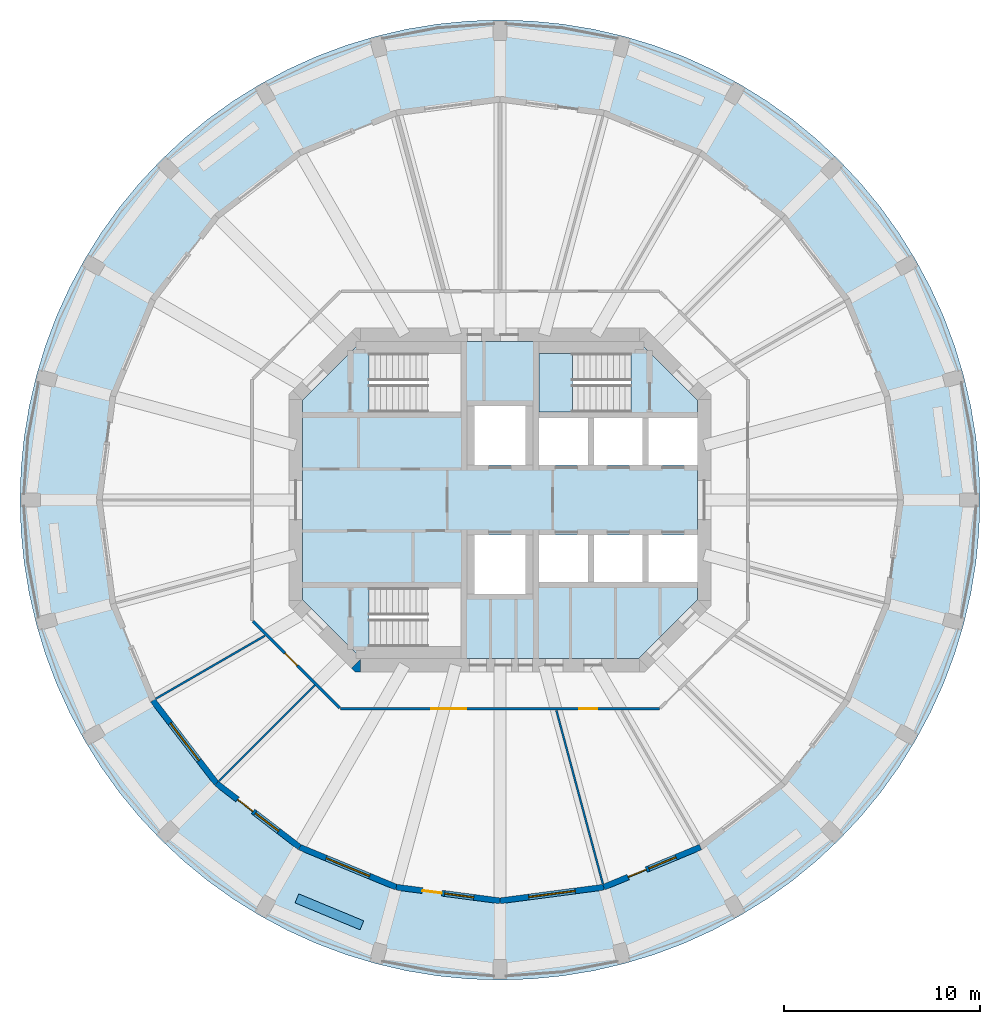
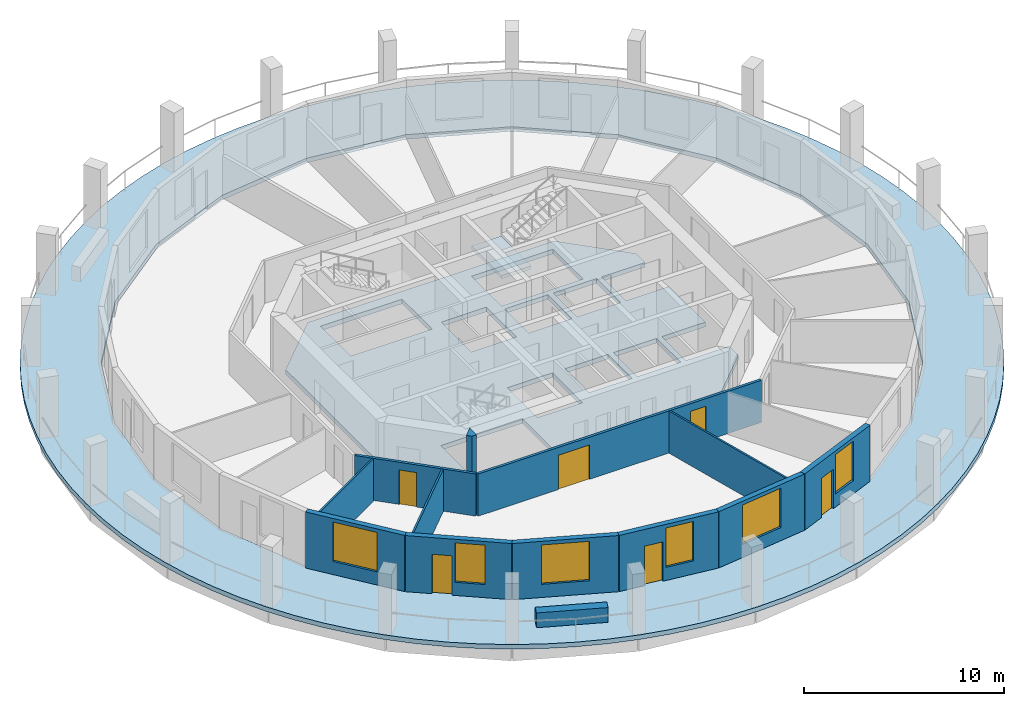
# One storey, part 2 of 9: 13 walls, 6 doors, 6 windows, 3 slabs, 12 openings, 1 element without a shape of its own.
"""IFC4 building model written with IfcOpenShell, lengths in metres."""

from ifc_helpers import new_model, si_unit, direction, frame, frame_2d, origin, place, context, subcontext, project, spatial, polyline, rectangle, outline, extrude, material, layer, layer_set, type_object, element, fill, aggregate, save


model = new_model("IFC4")

# Units and contexts
model_context = context("Model", 3, precision=1e-05, world=origin(), true_north=direction((0.0, 1.0)))
body_context = subcontext(model_context, "Body", "Model", "MODEL_VIEW")
ifc_project = project(units=[si_unit("LENGTHUNIT", "METRE"), si_unit("AREAUNIT", "SQUARE_METRE"), si_unit("VOLUMEUNIT", "CUBIC_METRE"), si_unit("PLANEANGLEUNIT", "RADIAN"), si_unit("MASSUNIT", "GRAM", prefix="KILO")], contexts=[model_context])

# Site, building, storey
site_placement = place(None, origin())
site = spatial("IfcSite", under=ifc_project, at=site_placement, CompositionType="ELEMENT")
building_placement = place(site_placement, origin())
building = spatial("IfcBuilding", under=site, at=building_placement, Name="Torre Triforio", CompositionType="ELEMENT")
storey_placement = place(building_placement, frame((0.0, 0.0, 233.5)))
storey = spatial("IfcBuildingStorey", under=building, at=storey_placement, Name="L53", CompositionType="ELEMENT", Elevation=233.5)

# Slabs
ifc_material_1 = material(Name="Concrete C50", Category="concrete")
ifc_layer_1 = layer(ifc_material_1, 0.280029296875)
ifc_layer_set_1 = layer_set([ifc_layer_1], Name="Concrete C50")
slab_type_1 = type_object("IfcSlabType", Name="Core floor slab 280 mm C50 REI 120", PredefinedType="FLOOR", material=ifc_layer_set_1)
slab_1_placement = place(storey_placement, frame((0.0, 0.0, -0.280029296875)))
element("IfcSlab", 1, at=slab_1_placement, inside=storey, type_object=slab_type_1, Name="Core floor slab", PredefinedType="FLOOR", context=body_context, shape_type="SweptSolid", body=[
    extrude(outline(polyline([(10.10009765625, -5.10009765625), (7.10009765625, -8.10009765625), (-7.10009765625, -8.10009765625), (-10.10009765625, -5.10009765625), (-10.10009765625, 5.10009765625), (-7.10009765625, 8.10009765625), (7.10009765625, 8.10009765625), (10.10009765625, 5.10009765625), (10.10009765625, 4.199951171875), (7.60009765625, 4.199951171875), (7.60009765625, 1.800048828125), (10.10009765625, 1.800048828125), (10.10009765625, -1.800048828125), (7.60009765625, -1.800048828125), (7.60009765625, -4.199951171875), (10.10009765625, -4.199951171875), (10.10009765625, -5.10009765625)]), holes=[polyline([(-6.696044921875, -4.5), (-6.696044921875, -7.5), (-2.0, -7.5), (-2.0, -4.5), (-6.696044921875, -4.5)]), polyline([(-1.300048828125, -1.800048828125), (-1.300048828125, -4.800048828125), (1.300048828125, -4.800048828125), (1.300048828125, -1.800048828125), (-1.300048828125, -1.800048828125)]), polyline([(2.0, -1.800048828125), (2.0, -4.199951171875), (4.5, -4.199951171875), (4.5, -1.800048828125), (2.0, -1.800048828125)]), polyline([(4.5, 4.199951171875), (2.0, 4.199951171875), (2.0, 1.800048828125), (4.5, 1.800048828125), (4.5, 4.199951171875)]), polyline([(1.300048828125, 4.800048828125), (-1.300048828125, 4.800048828125), (-1.300048828125, 1.800048828125), (1.300048828125, 1.800048828125), (1.300048828125, 4.800048828125)]), polyline([(-6.696044921875, 7.5), (-6.696044921875, 4.5), (-2.0, 4.5), (-2.0, 7.5), (-6.696044921875, 7.5)]), polyline([(7.300048828125, -1.800048828125), (4.800048828125, -1.800048828125), (4.800048828125, -4.199951171875), (7.300048828125, -4.199951171875), (7.300048828125, -1.800048828125)]), polyline([(4.800048828125, 4.199951171875), (4.800048828125, 1.800048828125), (7.300048828125, 1.800048828125), (7.300048828125, 4.199951171875), (4.800048828125, 4.199951171875)]), polyline([(6.696044921875, 7.5), (2.0, 7.5), (2.0, 4.5), (6.696044921875, 4.5), (6.696044921875, 7.5)])]), origin(), (0.0, 0.0, 1.0), 0.280029296875),
])
ifc_material_2 = material(Name="Concrete C40", Category="concrete")
ifc_layer_2 = layer(ifc_material_2, 0.280029296875)
ifc_layer_set_2 = layer_set([ifc_layer_2], Name="Concrete C40")
slab_type_2 = type_object("IfcSlabType", Name="Loggia slab 280 C40", PredefinedType="FLOOR", material=ifc_layer_set_2)
slab_2_placement = place(storey_placement, frame((0.0, 0.0, -0.280029296875)))
element("IfcSlab", 2, at=slab_2_placement, inside=storey, type_object=slab_type_2, Name="SL.L53.LG", PredefinedType="FLOOR", context=body_context, shape_type="SweptSolid", body=[
    extrude(outline(polyline([(24.49755859375, -1.605712890625), (24.550048828125, 0.0), (24.49755859375, 1.605712890625), (24.340087890625, 3.204345703125), (24.078369140625, 4.78955078125), (23.71337890625, 6.35400390625), (23.2470703125, 7.891357421875), (22.68115234375, 9.394775390625), (22.018310546875, 10.858154296875), (21.260986328125, 12.27490234375), (20.41259765625, 13.63916015625), (19.476806640625, 14.945068359375), (18.457763671875, 16.18701171875), (17.359375, 17.359375), (16.18701171875, 18.457763671875), (14.945068359375, 19.476806640625), (13.63916015625, 20.41259765625), (12.27490234375, 21.260986328125), (10.858154296875, 22.018310546875), (9.394775390625, 22.68115234375), (7.891357421875, 23.2470703125), (6.35400390625, 23.71337890625), (4.78955078125, 24.078369140625), (3.204345703125, 24.340087890625), (1.605712890625, 24.49755859375), (0.0, 24.550048828125), (-1.605712890625, 24.49755859375), (-3.204345703125, 24.340087890625), (-4.78955078125, 24.078369140625), (-6.35400390625, 23.71337890625), (-7.891357421875, 23.2470703125), (-9.394775390625, 22.68115234375), (-10.858154296875, 22.018310546875), (-12.27490234375, 21.260986328125), (-13.63916015625, 20.41259765625), (-14.945068359375, 19.476806640625), (-16.18701171875, 18.457763671875), (-17.359375, 17.359375), (-18.457763671875, 16.18701171875), (-19.476806640625, 14.945068359375), (-20.41259765625, 13.63916015625), (-21.260986328125, 12.27490234375), (-22.018310546875, 10.858154296875), (-22.68115234375, 9.394775390625), (-23.2470703125, 7.891357421875), (-23.71337890625, 6.35400390625), (-24.078369140625, 4.78955078125), (-24.340087890625, 3.204345703125), (-24.49755859375, 1.605712890625), (-24.550048828125, 0.0), (-24.49755859375, -1.605712890625), (-24.340087890625, -3.204345703125), (-24.078369140625, -4.78955078125), (-23.71337890625, -6.35400390625), (-23.2470703125, -7.891357421875), (-22.68115234375, -9.394775390625), (-22.018310546875, -10.858154296875), (-21.260986328125, -12.27490234375), (-20.41259765625, -13.63916015625), (-19.476806640625, -14.945068359375), (-18.457763671875, -16.18701171875), (-17.359375, -17.359375), (-16.18701171875, -18.457763671875), (-14.945068359375, -19.476806640625), (-13.63916015625, -20.41259765625), (-12.27490234375, -21.260986328125), (-10.858154296875, -22.018310546875), (-9.394775390625, -22.68115234375), (-7.891357421875, -23.2470703125), (-6.35400390625, -23.71337890625), (-4.78955078125, -24.078369140625), (-3.204345703125, -24.340087890625), (-1.605712890625, -24.49755859375), (0.0, -24.550048828125), (1.605712890625, -24.49755859375), (3.204345703125, -24.340087890625), (4.78955078125, -24.078369140625), (6.35400390625, -23.71337890625), (7.891357421875, -23.2470703125), (9.394775390625, -22.68115234375), (10.858154296875, -22.018310546875), (12.27490234375, -21.260986328125), (13.63916015625, -20.41259765625), (14.945068359375, -19.476806640625), (16.18701171875, -18.457763671875), (17.359375, -17.359375), (18.457763671875, -16.18701171875), (19.476806640625, -14.945068359375), (20.41259765625, -13.63916015625), (21.260986328125, -12.27490234375), (22.018310546875, -10.858154296875), (22.68115234375, -9.394775390625), (23.2470703125, -7.891357421875), (23.71337890625, -6.35400390625), (24.078369140625, -4.78955078125), (24.340087890625, -3.204345703125), (24.49755859375, -1.605712890625)]), holes=[polyline([(19.801513671875, 5.305908203125), (20.5, 0.0), (19.801513671875, -5.305908203125), (17.75341796875, -10.25), (14.49560546875, -14.49560546875), (10.25, -17.75341796875), (5.305908203125, -19.801513671875), (0.0, -20.5), (-5.305908203125, -19.801513671875), (-10.25, -17.75341796875), (-14.49560546875, -14.49560546875), (-17.75341796875, -10.25), (-19.801513671875, -5.305908203125), (-20.5, 0.0), (-19.801513671875, 5.305908203125), (-17.75341796875, 10.25), (-14.49560546875, 14.49560546875), (-10.25, 17.75341796875), (-5.305908203125, 19.801513671875), (0.0, 20.5), (5.305908203125, 19.801513671875), (10.25, 17.75341796875), (14.49560546875, 14.49560546875), (17.75341796875, 10.25), (19.801513671875, 5.305908203125)])]), origin(), (0.0, 0.0, 1.0), 0.280029296875),
])

# Stair, slab
stair_type = type_object("IfcStairType", Name="STAIR HALF-TURN", PredefinedType="HALF_TURN_STAIR", material=ifc_material_2)
stair_placement = place(storey_placement, origin())
stair = element("IfcStair", 3, at=stair_placement, inside=storey, type_object=stair_type, Name="Exit stair 2", PredefinedType="HALF_TURN_STAIR")
ifc_layer_3 = layer(ifc_material_2, 0.199951171875)
ifc_layer_set_3 = layer_set([ifc_layer_3], Name="Concrete C40")
slab_type_3 = type_object("IfcSlabType", Name="STAIR LANDING 200", PredefinedType="LANDING", material=ifc_layer_set_3)
slab_3_placement = place(storey_placement, frame((0.0, 0.0, 1.64990234375)))
slab_3 = element("IfcSlab", 4, at=slab_3_placement, type_object=slab_type_3, Name="ST2 landing 1", PredefinedType="LANDING", context=body_context, shape_type="SweptSolid", body=[
    extrude(outline(polyline([(3.699951171875, 4.5), (3.699951171875, 7.5), (2.0, 7.5), (2.0, 4.5), (3.699951171875, 4.5)])), origin(), (0.0, 0.0, 1.0), 0.2001953125),
])
aggregate(stair, [slab_3])

# Wall
ifc_layer_4 = layer(ifc_material_1, 0.699951171875)
ifc_layer_set_4 = layer_set([ifc_layer_4], Name="Concrete C50")
wall_type_1 = type_object("IfcWallType", Name="Core wall 700 mm C50 EI 120", PredefinedType="SHEAR", material=ifc_layer_set_4)
wall_1_placement = place(storey_placement, frame((0.0, 0.0, -0.280029296875)))
element("IfcWall", 5, at=wall_1_placement, inside=storey, type_object=wall_type_1, Name="Core wall", PredefinedType="SHEAR", context=body_context, shape_type="SweptSolid", body=[
    extrude(outline(polyline([(-7.389892578125, -8.800048828125), (-7.594970703125, -8.594970703125), (-7.594970703125, -8.594970703125), (-7.594970703125, -8.594970703125), (-7.1298828125, -8.1298828125), (-7.1298828125, -8.800048828125), (-7.1298828125, -8.800048828125), (-7.389892578125, -8.800048828125)])), origin(), (0.0, 0.0, 1.0), 3.699951171875),
])

# Wall, openings, doors
ifc_material_3 = material(Name="Plasterboard on metal studs")
ifc_layer_5 = layer(ifc_material_3, 0.14990234375)
ifc_layer_set_5 = layer_set([ifc_layer_5], Name="Plasterboard on metal studs")
wall_type_2 = type_object("IfcWallType", Name="Corridor and tenancy wall 150 mm EI 60", PredefinedType="PARTITIONING", material=ifc_layer_set_5)
wall_2_placement = place(storey_placement, frame((8.16650390625, -10.675048828125, 0.0), z_axis=(0.0, 0.0, 1.0), x_axis=(-1.0, 0.0, 0.0)))
wall_2 = element("IfcWall", 6, at=wall_2_placement, inside=storey, type_object=wall_type_2, Name="Partition 2", PredefinedType="PARTITIONING", context=body_context, shape_type="SweptSolid", body=[
    extrude(rectangle(XDim=16.3330078125, YDim=0.14990234375, at=frame_2d((8.16650390625, 0.0))), origin(), (0.0, 0.0, 1.0), 2.570068359375),
])
opening_1_placement = place(wall_2_placement, frame((9.893798828125, 0.0, 0.0)))
opening_1 = element("IfcOpeningElement", 7, at=opening_1_placement, cuts=wall_2, Name="Opening O7-05", PredefinedType="OPENING", context=body_context, shape_type="SweptSolid", body=[
    extrude(rectangle(XDim=1.800048828125, YDim=2.10009765625, at=frame_2d((0.89990234375, 1.050048828125))), frame((0.0, 0.0849609375, 0.0), z_axis=(0.0, -1.0, 0.0), x_axis=(1.0, 0.0, 0.0)), (0.0, 0.0, 1.0), 0.169921875),
])
opening_2_placement = place(wall_2_placement, frame((3.200927734375, 0.0, 0.0)))
opening_2 = element("IfcOpeningElement", 8, at=opening_2_placement, cuts=wall_2, Name="Opening O7-06", PredefinedType="OPENING", context=body_context, shape_type="SweptSolid", body=[
    extrude(rectangle(XDim=0.89990234375, YDim=2.10009765625, at=frame_2d((0.449951171875, 1.050048828125))), frame((0.0, 0.0849609375, 0.0), z_axis=(0.0, -1.0, 0.0), x_axis=(1.0, 0.0, 0.0)), (0.0, 0.0, 1.0), 0.169921875),
])
ifc_material_4 = material(Name="Timber", Category="wood")
door_type_1 = type_object("IfcDoorType", Name="Door 1800 x 2100 double leaf EI 30", OperationType="DOUBLE_DOOR_SINGLE_SWING", PredefinedType="DOOR", material=ifc_material_4)
door_1_placement = place(opening_1_placement, origin())
door_1 = element("IfcDoor", 9, at=door_1_placement, inside=storey, type_object=door_type_1, Name="Door O7-05", OperationType="DOUBLE_DOOR_SINGLE_SWING", OverallHeight=2.10009765625, OverallWidth=1.800048828125, PredefinedType="DOOR", context=body_context, shape_type="SweptSolid", body=[
    extrude(rectangle(XDim=1.800048828125, YDim=2.10009765625, at=frame_2d((0.89990234375, 1.050048828125))), frame((0.0, 0.02490234375, 0.0), z_axis=(0.0, -1.0, 0.0), x_axis=(1.0, 0.0, 0.0)), (0.0, 0.0, 1.0), 0.050048828125),
])
fill(opening_1, door_1)
door_type_2 = type_object("IfcDoorType", Name="Door 900 x 2100 single leaf EI 30", OperationType="NOTDEFINED", PredefinedType="DOOR", material=ifc_material_4)
door_2_placement = place(opening_2_placement, origin())
door_2 = element("IfcDoor", 10, at=door_2_placement, inside=storey, type_object=door_type_2, Name="Door O7-06", OperationType="SINGLE_SWING_LEFT", OverallHeight=2.10009765625, OverallWidth=0.89990234375, PredefinedType="DOOR", context=body_context, shape_type="SweptSolid", body=[
    extrude(rectangle(XDim=0.89990234375, YDim=2.10009765625, at=frame_2d((0.449951171875, 1.050048828125))), frame((0.0, 0.02490234375, 0.0), z_axis=(0.0, -1.0, 0.0), x_axis=(1.0, 0.0, 0.0)), (0.0, 0.0, 1.0), 0.050048828125),
])
fill(opening_2, door_2)

# Wall, opening, door
wall_3_placement = place(storey_placement, frame((-8.20361328125, -10.637939453125, 0.0), z_axis=(0.0, 0.0, 1.0), x_axis=(-0.707106781187, 0.707106781187, 0.0)))
wall_3 = element("IfcWall", 11, at=wall_3_placement, inside=storey, type_object=wall_type_2, Name="Partition 3", PredefinedType="PARTITIONING", context=body_context, shape_type="SweptSolid", body=[
    extrude(rectangle(XDim=6.27099609375, YDim=0.14990234375, at=frame_2d((3.135498046875, 0.0))), origin(), (0.0, 0.0, 1.0), 2.570068359375),
])
opening_3_placement = place(wall_3_placement, frame((3.056884765625, 0.0, 0.0)))
opening_3 = element("IfcOpeningElement", 12, at=opening_3_placement, cuts=wall_3, Name="Opening O7-04", PredefinedType="OPENING", context=body_context, shape_type="SweptSolid", body=[
    extrude(rectangle(XDim=0.89990234375, YDim=2.10009765625, at=frame_2d((0.449951171875, 1.050048828125))), frame((0.0, 0.0849609375, 0.0), z_axis=(0.0, -1.0, 0.0), x_axis=(1.0, 0.0, 0.0)), (0.0, 0.0, 1.0), 0.169921875),
])
door_3_placement = place(opening_3_placement, origin())
door_3 = element("IfcDoor", 13, at=door_3_placement, inside=storey, type_object=door_type_2, Name="Door O7-04", OperationType="SINGLE_SWING_LEFT", OverallHeight=2.10009765625, OverallWidth=0.89990234375, PredefinedType="DOOR", context=body_context, shape_type="SweptSolid", body=[
    extrude(rectangle(XDim=0.89990234375, YDim=2.10009765625, at=frame_2d((0.449951171875, 1.050048828125))), frame((0.0, 0.02490234375, 0.0), z_axis=(0.0, -1.0, 0.0), x_axis=(1.0, 0.0, 0.0)), (0.0, 0.0, 1.0), 0.050048828125),
])
fill(opening_3, door_3)

# Walls
ifc_layer_6 = layer(ifc_material_3, 0.10009765625)
ifc_layer_set_6 = layer_set([ifc_layer_6], Name="Plasterboard on metal studs")
wall_type_3 = type_object("IfcWallType", Name="Partition 100 mm board on metal studs", PredefinedType="PARTITIONING", material=ifc_layer_set_6)
wall_4_placement = place(storey_placement, frame((-12.025146484375, -6.94287109375, 0.0), z_axis=(0.0, 0.0, 1.0), x_axis=(-0.866026773083, -0.499997628298, 0.0)))
element("IfcWall", 14, at=wall_4_placement, inside=storey, type_object=wall_type_3, Name="Partition 20", PredefinedType="PARTITIONING", context=body_context, shape_type="SweptSolid", body=[
    extrude(rectangle(XDim=6.451171875, YDim=0.10009765625, at=frame_2d((3.2255859375, 0.0))), origin(), (0.0, 0.0, 1.0), 2.570068359375),
])
wall_5_placement = place(storey_placement, frame((-9.473876953125, -9.473876953125, 0.0), z_axis=(0.0, 0.0, 1.0), x_axis=(-0.707106781187, -0.707106781187, 0.0)))
element("IfcWall", 15, at=wall_5_placement, inside=storey, type_object=wall_type_3, Name="Partition 21", PredefinedType="PARTITIONING", context=body_context, shape_type="SweptSolid", body=[
    extrude(rectangle(XDim=6.9384765625, YDim=0.10009765625, at=frame_2d((3.46923828125, 0.0))), origin(), (0.0, 0.0, 1.0), 2.570068359375),
])
wall_6_placement = place(storey_placement, frame((2.88427734375, -10.764404296875, 0.0), z_axis=(0.0, 0.0, 1.0), x_axis=(0.258811310764, -0.965927898666, 0.0)))
element("IfcWall", 16, at=wall_6_placement, inside=storey, type_object=wall_type_3, Name="Partition 22", PredefinedType="PARTITIONING", context=body_context, shape_type="SweptSolid", body=[
    extrude(rectangle(XDim=9.192626953125, YDim=0.10009765625, at=frame_2d((4.59619140625, 0.0))), origin(), (0.0, 0.0, 1.0), 2.570068359375),
])
ifc_material_5 = material(Name="Limestone cladding", Category="masonry")
ifc_layer_7 = layer(ifc_material_5, 0.10009765625)
ifc_layer_8 = layer(ifc_material_2, 0.39990234375)
ifc_layer_set_7 = layer_set([ifc_layer_7, ifc_layer_8], Name="Limestone cladding / Concrete C40")
wall_type_4 = type_object("IfcWallType", Name="Planter wall 500", PredefinedType="PARAPET", material=ifc_layer_set_7)
wall_7_placement = place(storey_placement, frame((-10.38818359375, -20.37548828125, 0.0), z_axis=(0.0, 0.0, 1.0), x_axis=(0.923851510231, -0.38275107713, 0.0)))
element("IfcWall", 17, at=wall_7_placement, inside=storey, type_object=wall_type_4, Name="Planter L53 bay 17", PredefinedType="PARAPET", context=body_context, shape_type="SweptSolid", body=[
    extrude(rectangle(XDim=3.60009765625, YDim=0.5, at=frame_2d((1.800048828125, 0.0))), origin(), (0.0, 0.0, 1.0), 0.89990234375),
])

# Wall, opening, window
ifc_layer_9 = layer(ifc_material_5, 0.10009765625)
ifc_layer_10 = layer(ifc_material_2, 0.199951171875)
ifc_layer_set_8 = layer_set([ifc_layer_9, ifc_layer_10], Name="Limestone cladding / Concrete C40")
wall_type_5 = type_object("IfcWallType", Name="Stone-faced composite wall 300", PredefinedType="STANDARD", material=ifc_layer_set_8)
wall_8_placement = place(storey_placement, frame((-17.75341796875, -10.25, 0.0), z_axis=(0.0, 0.0, 1.0), x_axis=(0.60876670321, -0.793349293227, 0.0)))
wall_8 = element("IfcWall", 18, at=wall_8_placement, inside=storey, type_object=wall_type_5, Name="External wall L53 bay 15", PredefinedType="STANDARD", context=body_context, shape_type="SweptSolid", body=[
    extrude(rectangle(XDim=5.3515625, YDim=0.300048828125, at=frame_2d((2.67578125, 0.0))), origin(), (0.0, 0.0, 1.0), 3.419921875),
])
opening_4_placement = place(wall_8_placement, frame((1.475830078125, 0.0, 0.800048828125)))
opening_4 = element("IfcOpeningElement", 19, at=opening_4_placement, cuts=wall_8, Name="Opening O7-W15", PredefinedType="OPENING", context=body_context, shape_type="SweptSolid", body=[
    extrude(rectangle(XDim=2.39990234375, YDim=2.39990234375, at=frame_2d((1.199951171875, 1.199951171875))), frame((0.0, 0.159912109375, 0.0), z_axis=(0.0, -1.0, 0.0), x_axis=(1.0, 0.0, 0.0)), (0.0, 0.0, 1.0), 0.320068359375),
])
ifc_material_6 = material(Name="Aluminium frame with clear double glazing", Category="aluminium")
window_type_1 = type_object("IfcWindowType", Name="Punched window 2400 x 2400", PartitioningType="DOUBLE_PANEL_VERTICAL", PredefinedType="WINDOW", material=ifc_material_6)
window_1_placement = place(opening_4_placement, origin())
window_1 = element("IfcWindow", 20, at=window_1_placement, inside=storey, type_object=window_type_1, Name="Window EWN4 L53 bay 15", OverallHeight=2.39990234375, OverallWidth=2.39990234375, PartitioningType="SINGLE_PANEL", PredefinedType="WINDOW", context=body_context, shape_type="SweptSolid", body=[
    extrude(rectangle(XDim=2.39990234375, YDim=2.39990234375, at=frame_2d((1.199951171875, 1.199951171875))), frame((0.0, 0.030029296875, 0.0), z_axis=(0.0, -1.0, 0.0), x_axis=(1.0, 0.0, 0.0)), (0.0, 0.0, 1.0), 0.06005859375),
])
fill(opening_4, window_1)

# Wall, openings, door, window
wall_9_placement = place(storey_placement, frame((-14.49560546875, -14.49560546875, 0.0), z_axis=(0.0, 0.0, 1.0), x_axis=(0.793349293227, -0.60876670321, 0.0)))
wall_9 = element("IfcWall", 21, at=wall_9_placement, inside=storey, type_object=wall_type_5, Name="External wall L53 bay 16", PredefinedType="STANDARD", context=body_context, shape_type="SweptSolid", body=[
    extrude(rectangle(XDim=5.3515625, YDim=0.300048828125, at=frame_2d((2.67578125, 0.0))), origin(), (0.0, 0.0, 1.0), 3.419921875),
])
opening_5_placement = place(wall_9_placement, frame((1.350830078125, 0.0, 0.0)))
opening_5 = element("IfcOpeningElement", 22, at=opening_5_placement, cuts=wall_9, Name="Opening O7-D16", PredefinedType="OPENING", context=body_context, shape_type="SweptSolid", body=[
    extrude(rectangle(XDim=1.0, YDim=2.39990234375, at=frame_2d((0.5, 1.199951171875))), frame((0.0, 0.159912109375, 0.0), z_axis=(0.0, -1.0, 0.0), x_axis=(1.0, 0.0, 0.0)), (0.0, 0.0, 1.0), 0.320068359375),
])
opening_6_placement = place(wall_9_placement, frame((2.500732421875, 0.0, 0.800048828125)))
opening_6 = element("IfcOpeningElement", 23, at=opening_6_placement, cuts=wall_9, Name="Opening O7-W16A", PredefinedType="OPENING", context=body_context, shape_type="SweptSolid", body=[
    extrude(rectangle(XDim=1.5, YDim=2.39990234375, at=frame_2d((0.75, 1.199951171875))), frame((0.0, 0.159912109375, 0.0), z_axis=(0.0, -1.0, 0.0), x_axis=(1.0, 0.0, 0.0)), (0.0, 0.0, 1.0), 0.320068359375),
])
door_type_3 = type_object("IfcDoorType", Name="Loggia door 1000 x 2400", OperationType="NOTDEFINED", PredefinedType="DOOR", material=ifc_material_6)
door_4_placement = place(opening_5_placement, origin())
door_4 = element("IfcDoor", 24, at=door_4_placement, inside=storey, type_object=door_type_3, Name="Loggia door L53 bay 16", OperationType="SINGLE_SWING_LEFT", OverallHeight=2.39990234375, OverallWidth=1.0, PredefinedType="DOOR", context=body_context, shape_type="SweptSolid", body=[
    extrude(rectangle(XDim=1.0, YDim=2.39990234375, at=frame_2d((0.5, 1.199951171875))), frame((0.0, 0.02490234375, 0.0), z_axis=(0.0, -1.0, 0.0), x_axis=(1.0, 0.0, 0.0)), (0.0, 0.0, 1.0), 0.050048828125),
])
fill(opening_5, door_4)
window_type_2 = type_object("IfcWindowType", Name="Side window 1500 x 2400", PartitioningType="SINGLE_PANEL", PredefinedType="WINDOW", material=ifc_material_6)
window_2_placement = place(opening_6_placement, origin())
window_2 = element("IfcWindow", 25, at=window_2_placement, inside=storey, type_object=window_type_2, Name="Side window EWN14 L53 bay 16", OverallHeight=2.39990234375, OverallWidth=1.5, PartitioningType="SINGLE_PANEL", PredefinedType="WINDOW", context=body_context, shape_type="SweptSolid", body=[
    extrude(rectangle(XDim=1.5, YDim=2.39990234375, at=frame_2d((0.75, 1.199951171875))), frame((0.0, 0.030029296875, 0.0), z_axis=(0.0, -1.0, 0.0), x_axis=(1.0, 0.0, 0.0)), (0.0, 0.0, 1.0), 0.06005859375),
])
fill(opening_6, window_2)

# Wall, opening, window
wall_10_placement = place(storey_placement, frame((-10.25, -17.75341796875, 0.0), z_axis=(0.0, 0.0, 1.0), x_axis=(0.923867255172, -0.382713071139, 0.0)))
wall_10 = element("IfcWall", 26, at=wall_10_placement, inside=storey, type_object=wall_type_5, Name="External wall L53 bay 17", PredefinedType="STANDARD", context=body_context, shape_type="SweptSolid", body=[
    extrude(rectangle(XDim=5.3515625, YDim=0.300048828125, at=frame_2d((2.67578125, 0.0))), origin(), (0.0, 0.0, 1.0), 3.419921875),
])
opening_7_placement = place(wall_10_placement, frame((1.475830078125, 0.0, 0.800048828125)))
opening_7 = element("IfcOpeningElement", 27, at=opening_7_placement, cuts=wall_10, Name="Opening O7-W17", PredefinedType="OPENING", context=body_context, shape_type="SweptSolid", body=[
    extrude(rectangle(XDim=2.39990234375, YDim=2.39990234375, at=frame_2d((1.199951171875, 1.199951171875))), frame((0.0, 0.159912109375, 0.0), z_axis=(0.0, -1.0, 0.0), x_axis=(1.0, 0.0, 0.0)), (0.0, 0.0, 1.0), 0.320068359375),
])
window_3_placement = place(opening_7_placement, origin())
window_3 = element("IfcWindow", 28, at=window_3_placement, inside=storey, type_object=window_type_1, Name="Window EWN4 L53 bay 17", OverallHeight=2.39990234375, OverallWidth=2.39990234375, PartitioningType="SINGLE_PANEL", PredefinedType="WINDOW", context=body_context, shape_type="SweptSolid", body=[
    extrude(rectangle(XDim=2.39990234375, YDim=2.39990234375, at=frame_2d((1.199951171875, 1.199951171875))), frame((0.0, 0.030029296875, 0.0), z_axis=(0.0, -1.0, 0.0), x_axis=(1.0, 0.0, 0.0)), (0.0, 0.0, 1.0), 0.06005859375),
])
fill(opening_7, window_3)

# Wall, openings, door, window
wall_11_placement = place(storey_placement, frame((-5.305908203125, -19.801513671875, 0.0), z_axis=(0.0, 0.0, 1.0), x_axis=(0.991446064069, -0.130517056518, 0.0)))
wall_11 = element("IfcWall", 29, at=wall_11_placement, inside=storey, type_object=wall_type_5, Name="External wall L53 bay 18", PredefinedType="STANDARD", context=body_context, shape_type="SweptSolid", body=[
    extrude(rectangle(XDim=5.351806640625, YDim=0.300048828125, at=frame_2d((2.67578125, 0.0))), origin(), (0.0, 0.0, 1.0), 3.419921875),
])
opening_8_placement = place(wall_11_placement, frame((1.350830078125, 0.0, 0.0)))
opening_8 = element("IfcOpeningElement", 30, at=opening_8_placement, cuts=wall_11, Name="Opening O7-D18", PredefinedType="OPENING", context=body_context, shape_type="SweptSolid", body=[
    extrude(rectangle(XDim=1.0, YDim=2.39990234375, at=frame_2d((0.5, 1.199951171875))), frame((0.0, 0.159912109375, 0.0), z_axis=(0.0, -1.0, 0.0), x_axis=(1.0, 0.0, 0.0)), (0.0, 0.0, 1.0), 0.320068359375),
])
opening_9_placement = place(wall_11_placement, frame((2.500732421875, 0.0, 0.800048828125)))
opening_9 = element("IfcOpeningElement", 31, at=opening_9_placement, cuts=wall_11, Name="Opening O7-W18A", PredefinedType="OPENING", context=body_context, shape_type="SweptSolid", body=[
    extrude(rectangle(XDim=1.5, YDim=2.39990234375, at=frame_2d((0.75, 1.199951171875))), frame((0.0, 0.159912109375, 0.0), z_axis=(0.0, -1.0, 0.0), x_axis=(1.0, 0.0, 0.0)), (0.0, 0.0, 1.0), 0.320068359375),
])
door_5_placement = place(opening_8_placement, origin())
door_5 = element("IfcDoor", 32, at=door_5_placement, inside=storey, type_object=door_type_3, Name="Loggia door L53 bay 18", OperationType="SINGLE_SWING_LEFT", OverallHeight=2.39990234375, OverallWidth=1.0, PredefinedType="DOOR", context=body_context, shape_type="SweptSolid", body=[
    extrude(rectangle(XDim=1.0, YDim=2.39990234375, at=frame_2d((0.5, 1.199951171875))), frame((0.0, 0.02490234375, 0.0), z_axis=(0.0, -1.0, 0.0), x_axis=(1.0, 0.0, 0.0)), (0.0, 0.0, 1.0), 0.050048828125),
])
fill(opening_8, door_5)
window_4_placement = place(opening_9_placement, origin())
window_4 = element("IfcWindow", 33, at=window_4_placement, inside=storey, type_object=window_type_2, Name="Side window EWN14 L53 bay 18", OverallHeight=2.39990234375, OverallWidth=1.5, PartitioningType="SINGLE_PANEL", PredefinedType="WINDOW", context=body_context, shape_type="SweptSolid", body=[
    extrude(rectangle(XDim=1.5, YDim=2.39990234375, at=frame_2d((0.75, 1.199951171875))), frame((0.0, 0.030029296875, 0.0), z_axis=(0.0, -1.0, 0.0), x_axis=(1.0, 0.0, 0.0)), (0.0, 0.0, 1.0), 0.06005859375),
])
fill(opening_9, window_4)

# Wall, opening, window
wall_12_placement = place(storey_placement, frame((0.0, -20.5, 0.0), z_axis=(0.0, 0.0, 1.0), x_axis=(0.991446064069, 0.130517056518, 0.0)))
wall_12 = element("IfcWall", 34, at=wall_12_placement, inside=storey, type_object=wall_type_5, Name="External wall L53 bay 19", PredefinedType="STANDARD", context=body_context, shape_type="SweptSolid", body=[
    extrude(rectangle(XDim=5.351806640625, YDim=0.300048828125, at=frame_2d((2.67578125, 0.0))), origin(), (0.0, 0.0, 1.0), 3.419921875),
])
opening_10_placement = place(wall_12_placement, frame((1.475830078125, 0.0, 0.800048828125)))
opening_10 = element("IfcOpeningElement", 35, at=opening_10_placement, cuts=wall_12, Name="Opening O7-W19", PredefinedType="OPENING", context=body_context, shape_type="SweptSolid", body=[
    extrude(rectangle(XDim=2.39990234375, YDim=2.39990234375, at=frame_2d((1.199951171875, 1.199951171875))), frame((0.0, 0.159912109375, 0.0), z_axis=(0.0, -1.0, 0.0), x_axis=(1.0, 0.0, 0.0)), (0.0, 0.0, 1.0), 0.320068359375),
])
window_5_placement = place(opening_10_placement, origin())
window_5 = element("IfcWindow", 36, at=window_5_placement, inside=storey, type_object=window_type_1, Name="Window EWN4 L53 bay 19", OverallHeight=2.39990234375, OverallWidth=2.39990234375, PartitioningType="SINGLE_PANEL", PredefinedType="WINDOW", context=body_context, shape_type="SweptSolid", body=[
    extrude(rectangle(XDim=2.39990234375, YDim=2.39990234375, at=frame_2d((1.199951171875, 1.199951171875))), frame((0.0, 0.030029296875, 0.0), z_axis=(0.0, -1.0, 0.0), x_axis=(1.0, 0.0, 0.0)), (0.0, 0.0, 1.0), 0.06005859375),
])
fill(opening_10, window_5)

# Wall, openings, door, window
wall_13_placement = place(storey_placement, frame((5.305908203125, -19.801513671875, 0.0), z_axis=(0.0, 0.0, 1.0), x_axis=(0.923867255172, 0.382713071139, 0.0)))
wall_13 = element("IfcWall", 37, at=wall_13_placement, inside=storey, type_object=wall_type_5, Name="External wall L53 bay 20", PredefinedType="STANDARD", context=body_context, shape_type="SweptSolid", body=[
    extrude(rectangle(XDim=5.3515625, YDim=0.300048828125, at=frame_2d((2.67578125, 0.0))), origin(), (0.0, 0.0, 1.0), 3.419921875),
])
opening_11_placement = place(wall_13_placement, frame((1.350830078125, 0.0, 0.0)))
opening_11 = element("IfcOpeningElement", 38, at=opening_11_placement, cuts=wall_13, Name="Opening O7-D20", PredefinedType="OPENING", context=body_context, shape_type="SweptSolid", body=[
    extrude(rectangle(XDim=1.0, YDim=2.39990234375, at=frame_2d((0.5, 1.199951171875))), frame((0.0, 0.159912109375, 0.0), z_axis=(0.0, -1.0, 0.0), x_axis=(1.0, 0.0, 0.0)), (0.0, 0.0, 1.0), 0.320068359375),
])
opening_12_placement = place(wall_13_placement, frame((2.500732421875, 0.0, 0.800048828125)))
opening_12 = element("IfcOpeningElement", 39, at=opening_12_placement, cuts=wall_13, Name="Opening O7-W20A", PredefinedType="OPENING", context=body_context, shape_type="SweptSolid", body=[
    extrude(rectangle(XDim=1.5, YDim=2.39990234375, at=frame_2d((0.75, 1.199951171875))), frame((0.0, 0.159912109375, 0.0), z_axis=(0.0, -1.0, 0.0), x_axis=(1.0, 0.0, 0.0)), (0.0, 0.0, 1.0), 0.320068359375),
])
door_6_placement = place(opening_11_placement, origin())
door_6 = element("IfcDoor", 40, at=door_6_placement, inside=storey, type_object=door_type_3, Name="Loggia door L53 bay 20", OperationType="SINGLE_SWING_LEFT", OverallHeight=2.39990234375, OverallWidth=1.0, PredefinedType="DOOR", context=body_context, shape_type="SweptSolid", body=[
    extrude(rectangle(XDim=1.0, YDim=2.39990234375, at=frame_2d((0.5, 1.199951171875))), frame((0.0, 0.02490234375, 0.0), z_axis=(0.0, -1.0, 0.0), x_axis=(1.0, 0.0, 0.0)), (0.0, 0.0, 1.0), 0.050048828125),
])
fill(opening_11, door_6)
window_6_placement = place(opening_12_placement, origin())
window_6 = element("IfcWindow", 41, at=window_6_placement, inside=storey, type_object=window_type_2, Name="Side window EWN14 L53 bay 20", OverallHeight=2.39990234375, OverallWidth=1.5, PartitioningType="SINGLE_PANEL", PredefinedType="WINDOW", context=body_context, shape_type="SweptSolid", body=[
    extrude(rectangle(XDim=1.5, YDim=2.39990234375, at=frame_2d((0.75, 1.199951171875))), frame((0.0, 0.030029296875, 0.0), z_axis=(0.0, -1.0, 0.0), x_axis=(1.0, 0.0, 0.0)), (0.0, 0.0, 1.0), 0.06005859375),
])
fill(opening_12, window_6)

save(model, "model.ifc")
